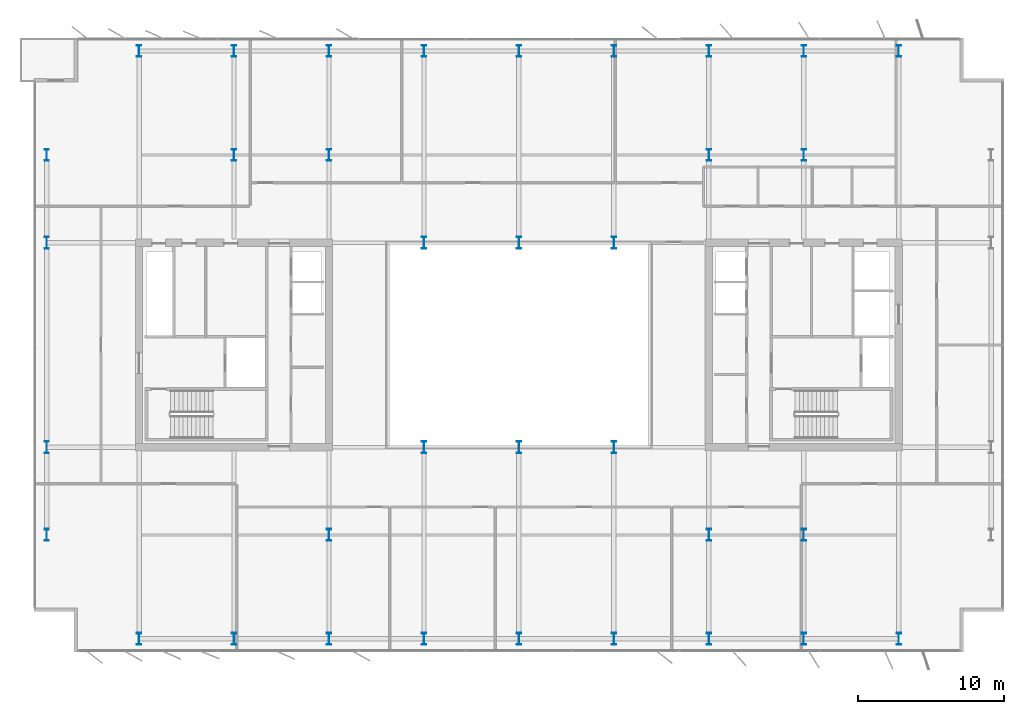
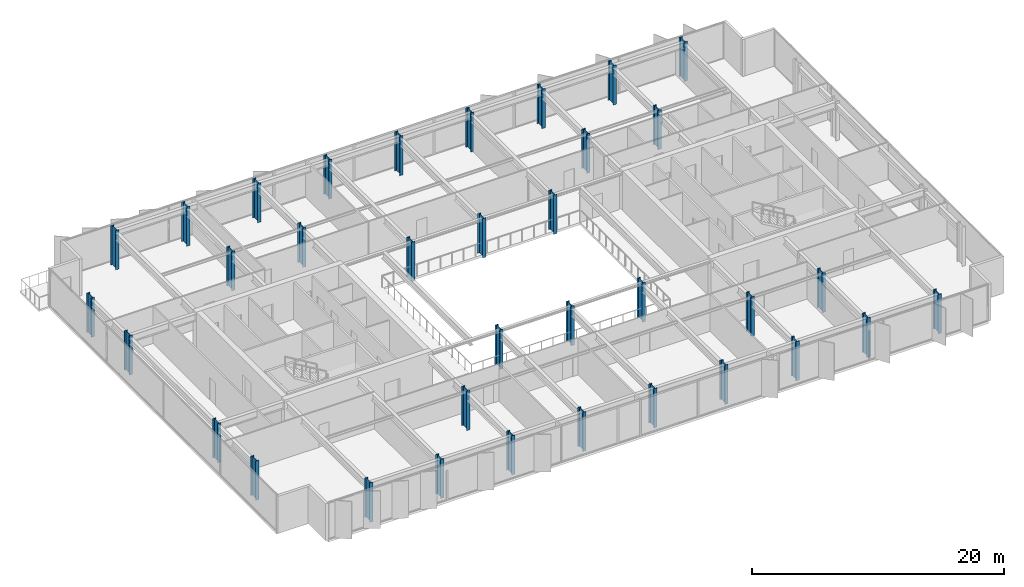
# One storey, part 1 of 23: 35 columns.
"""IFC4 building model written with IfcOpenShell, lengths in metres."""

from ifc_helpers import new_model, si_unit, direction, frame, origin, origin_2d, place, context, subcontext, project, spatial, i_section, extrude, material, material_profile, profile_set, type_object, element, save


model = new_model("IFC4")

# Units and contexts
model_context = context("Model", 3, precision=1e-05, world=origin(), true_north=direction((0.0, 1.0)))
body_context = subcontext(model_context, "Body", "Model", "MODEL_VIEW")
ifc_project = project(units=[si_unit("LENGTHUNIT", "METRE"), si_unit("AREAUNIT", "SQUARE_METRE"), si_unit("VOLUMEUNIT", "CUBIC_METRE"), si_unit("PLANEANGLEUNIT", "RADIAN"), si_unit("MASSUNIT", "GRAM", prefix="KILO")], contexts=[model_context])

# Site, building, storey
site_placement = place(None, origin())
site = spatial("IfcSite", under=ifc_project, at=site_placement, CompositionType="ELEMENT")
building_placement = place(site_placement, origin())
building = spatial("IfcBuilding", under=site, at=building_placement, Name="Putna Gate Headquarters", CompositionType="ELEMENT")
storey_placement = place(building_placement, frame((0.0, 0.0, 210.0)))
storey = spatial("IfcBuildingStorey", under=building, at=storey_placement, Name="L52", CompositionType="ELEMENT", Elevation=210.0)

# Columns
ifc_material = material(Name="Steel S460M", Category="steel")
ifc_material_profile_1 = material_profile(ifc_material, i_section(OverallWidth=0.302978515625, OverallDepth=0.81396484375, WebThickness=0.02099609375, FlangeThickness=0.0400390625, at=origin_2d()), Name="Steel S460M")
ifc_profile_set_1 = profile_set([ifc_material_profile_1], Name="Steel S460M")
column_type_1 = type_object("IfcColumnType", Name="COL-STL-HEM800-EXT", PredefinedType="COLUMN", material=ifc_profile_set_1)
for number, where, z_axis, x_axis, name in (
    (1, (13.0, 5.8798828125, 0.0), (0.0, 0.0, 1.0), (1.0, 0.0, 0.0), "L52 Column CP-S13"),
    (2, (13.0, 46.1201171875, 0.0), (0.0, 0.0, 1.0), (1.0, 0.0, 0.0), "L52 Column CP-N13"),
    (3, (19.5, 5.8798828125, 0.0), (0.0, 0.0, 1.0), (1.0, 0.0, 0.0), "L52 Column CP-S19"),
    (4, (19.5, 46.1201171875, 0.0), (0.0, 0.0, 1.0), (1.0, 0.0, 0.0), "L52 Column CP-N19"),
    (5, (26.0, 5.8798828125, 0.0), (0.0, 0.0, 1.0), (1.0, 0.0, 0.0), "L52 Column CP-S26"),
    (6, (26.0, 46.1201171875, 0.0), (0.0, 0.0, 1.0), (1.0, 0.0, 0.0), "L52 Column CP-N26"),
    (7, (32.5, 5.8798828125, 0.0), (0.0, 0.0, 1.0), (1.0, 0.0, 0.0), "L52 Column CP-S32"),
    (8, (32.5, 46.1201171875, 0.0), (0.0, 0.0, 1.0), (1.0, 0.0, 0.0), "L52 Column CP-N32"),
    (9, (39.0, 5.8798828125, 0.0), (0.0, 0.0, 1.0), (1.0, 0.0, 0.0), "L52 Column CP-S39"),
    (10, (39.0, 46.1201171875, 0.0), (0.0, 0.0, 1.0), (1.0, 0.0, 0.0), "L52 Column CP-N39"),
    (11, (45.5, 5.8798828125, 0.0), (0.0, 0.0, 1.0), (1.0, 0.0, 0.0), "L52 Column CP-S45"),
    (12, (45.5, 46.1201171875, 0.0), (0.0, 0.0, 1.0), (1.0, 0.0, 0.0), "L52 Column CP-N45"),
    (13, (52.0, 5.8798828125, 0.0), (0.0, 0.0, 1.0), (1.0, 0.0, 0.0), "L52 Column CP-S52"),
    (14, (52.0, 46.1201171875, 0.0), (0.0, 0.0, 1.0), (1.0, 0.0, 0.0), "L52 Column CP-N52"),
    (15, (58.5, 5.8798828125, 0.0), (0.0, 0.0, 1.0), (1.0, 0.0, 0.0), "L52 Column CP-S58"),
    (16, (58.5, 46.1201171875, 0.0), (0.0, 0.0, 1.0), (1.0, 0.0, 0.0), "L52 Column CP-N58"),
    (17, (65.0, 5.8798828125, 0.0), (0.0, 0.0, 1.0), (1.0, 0.0, 0.0), "L52 Column CP-S65"),
    (18, (65.0, 46.1201171875, 0.0), (0.0, 0.0, 1.0), (1.0, 0.0, 0.0), "L52 Column CP-N65"),
    (19, (6.679931640625, 13.0, 0.0), (0.0, 0.0, 1.0), (1.0, 0.0, 0.0), "L52 Column CP-W13"),
    (20, (6.679931640625, 19.0, 0.0), (0.0, 0.0, 1.0), (1.0, 0.0, 0.0), "L52 Column CP-W19"),
    (21, (6.679931640625, 33.0, 0.0), (0.0, 0.0, 1.0), (1.0, 0.0, 0.0), "L52 Column CP-W33"),
    (22, (6.679931640625, 39.0, 0.0), (0.0, 0.0, 1.0), (1.0, 0.0, 0.0), "L52 Column CP-W39"),
):
    element("IfcColumn", number, at=place(storey_placement, frame(where, z_axis=z_axis, x_axis=x_axis)), inside=storey, type_object=column_type_1, Name=name, PredefinedType="COLUMN", context=body_context, shape_type="SweptSolid", body=[
        extrude(i_section(OverallWidth=0.302978515625, OverallDepth=0.81396484375, WebThickness=0.02099609375, FlangeThickness=0.0400390625, at=origin_2d()), origin(), (0.0, 0.0, 1.0), 3.800048828125),
    ])
ifc_material_profile_2 = material_profile(ifc_material, i_section(OverallWidth=0.302978515625, OverallDepth=0.81396484375, WebThickness=0.02099609375, FlangeThickness=0.0400390625, at=origin_2d()), Name="Steel S460M")
ifc_profile_set_2 = profile_set([ifc_material_profile_2], Name="Steel S460M")
column_type_2 = type_object("IfcColumnType", Name="COL-STL-HEM800-INT", PredefinedType="COLUMN", material=ifc_profile_set_2)
for number, where, z_axis, x_axis, name in (
    (23, (19.5, 39.0, 0.0), (0.0, 0.0, 1.0), (1.0, 0.0, 0.0), "L52 Column CSI-WN"),
    (24, (58.5, 13.0, 0.0), (0.0, 0.0, 1.0), (1.0, 0.0, 0.0), "L52 Column CSI-ES"),
    (25, (58.5, 39.0, 0.0), (0.0, 0.0, 1.0), (1.0, 0.0, 0.0), "L52 Column CSI-EN"),
    (26, (32.5, 19.0, 0.0), (0.0, 0.0, 1.0), (1.0, 0.0, 0.0), "L52 Column CAI-S32"),
    (27, (32.5, 33.0, 0.0), (0.0, 0.0, 1.0), (1.0, 0.0, 0.0), "L52 Column CAI-N32"),
    (28, (39.0, 19.0, 0.0), (0.0, 0.0, 1.0), (1.0, 0.0, 0.0), "L52 Column CAI-S39"),
    (29, (39.0, 33.0, 0.0), (0.0, 0.0, 1.0), (1.0, 0.0, 0.0), "L52 Column CAI-N39"),
    (30, (45.5, 19.0, 0.0), (0.0, 0.0, 1.0), (1.0, 0.0, 0.0), "L52 Column CAI-S45"),
    (31, (45.5, 33.0, 0.0), (0.0, 0.0, 1.0), (1.0, 0.0, 0.0), "L52 Column CAI-N45"),
    (32, (26.0, 13.0, 0.0), (0.0, 0.0, 1.0), (1.0, 0.0, 0.0), "L52 Column CAP-WS"),
    (33, (26.0, 39.0, 0.0), (0.0, 0.0, 1.0), (1.0, 0.0, 0.0), "L52 Column CAP-WN"),
    (34, (52.0, 13.0, 0.0), (0.0, 0.0, 1.0), (1.0, 0.0, 0.0), "L52 Column CAP-ES"),
    (35, (52.0, 39.0, 0.0), (0.0, 0.0, 1.0), (1.0, 0.0, 0.0), "L52 Column CAP-EN"),
):
    element("IfcColumn", number, at=place(storey_placement, frame(where, z_axis=z_axis, x_axis=x_axis)), inside=storey, type_object=column_type_2, Name=name, PredefinedType="COLUMN", context=body_context, shape_type="SweptSolid", body=[
        extrude(i_section(OverallWidth=0.302978515625, OverallDepth=0.81396484375, WebThickness=0.02099609375, FlangeThickness=0.0400390625, at=origin_2d()), origin(), (0.0, 0.0, 1.0), 3.800048828125),
    ])

save(model, "model.ifc")
